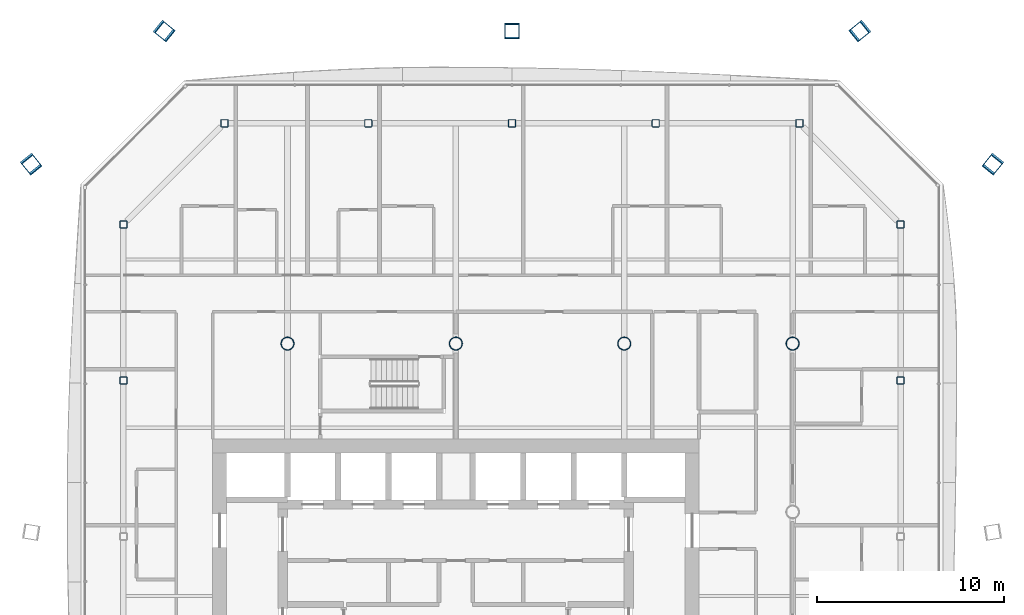
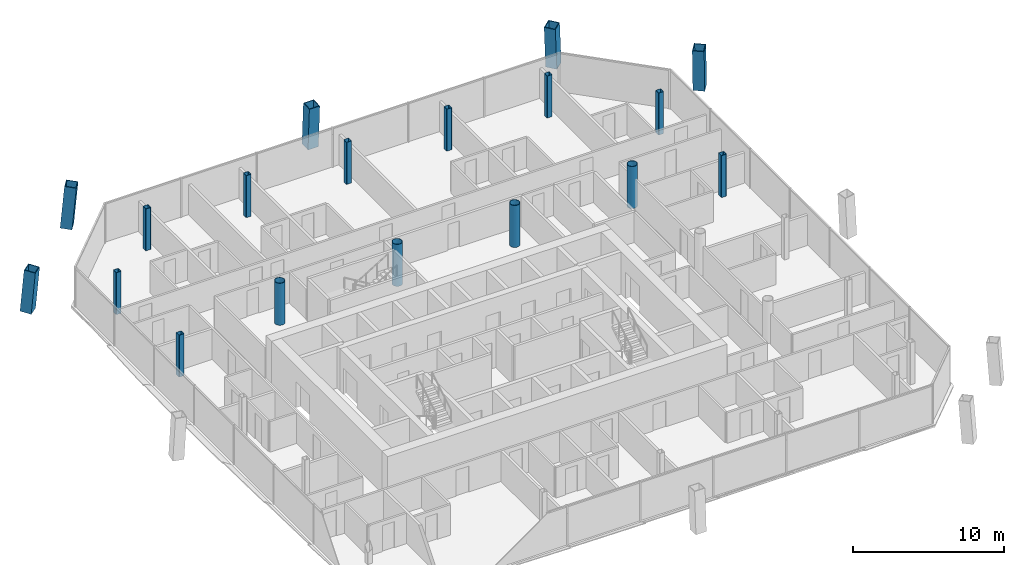
# One storey, part 2 of 21: 18 columns.
"""IFC4 building model written with IfcOpenShell, lengths in metres."""

import ifcopenshell
import ifcopenshell.guid

model = None  # the IFC model being written
_history = None  # IfcOwnerHistory: only IFC2X3 demands one
_inside = {}  # id of a spatial element -> (the spatial element, [elements in it])
_under = {}  # id of a project, library or spatial element -> (it, [spatial elements below it])
_declared = {}  # id of a project -> (the project, [libraries it declares])
_typed = {}  # id of a type object -> (the type object, [elements of that type])
_made_of = {}  # id of a material, layer set ... -> (it, [elements and type objects made of it])


def new_model(schema):
    """Start an empty IFC model of exactly this schema.

    Asked for "IFC4X3", IfcOpenShell would pick the latest addendum, in which some entities
    have other attributes; the version numbers below select the first issue.
    IFC2X3 requires an IfcOwnerHistory on every rooted entity: one is made here for all.
    """
    global model, _history
    if schema == "IFC4X3":
        model = ifcopenshell.file(schema_version=(4, 3, 0, 0))
    else:
        model = ifcopenshell.file(schema=schema)
    _inside.clear()
    _under.clear()
    _declared.clear()
    _typed.clear()
    _made_of.clear()
    _history = None
    if model.schema == "IFC2X3":
        org = make("IfcOrganization", Name="unknown")
        user = make(
            "IfcPersonAndOrganization",
            ThePerson=make("IfcPerson", FamilyName="unknown"),
            TheOrganization=org,
        )
        app = make(
            "IfcApplication",
            ApplicationDeveloper=org,
            Version="unknown",
            ApplicationFullName="unknown",
            ApplicationIdentifier="unknown",
        )
        _history = make(
            "IfcOwnerHistory",
            OwningUser=user,
            OwningApplication=app,
            ChangeAction="ADDED",
            CreationDate=0,
        )
    return model


def make(cls, **values):
    """One entity of the class cls with the attributes given. An attribute that is None is left unset."""
    return model.create_entity(
        cls, **{name: value for name, value in values.items() if value is not None}
    )


def rooted(cls, **values):
    """An entity with a GlobalId (a new one), such as an element, a storey or a relation."""
    return make(cls, GlobalId=ifcopenshell.guid.new(), OwnerHistory=_history, **values)


def si_unit(unit_type, name, prefix=None):
    """IfcSIUnit, for example si_unit("LENGTHUNIT", "METRE", prefix="MILLI")."""
    return make("IfcSIUnit", UnitType=unit_type, Prefix=prefix, Name=name)


def assignment(units):
    """IfcUnitAssignment: the units of a project."""
    return None if units is None else make("IfcUnitAssignment", Units=units)


def point(xyz):
    """IfcCartesianPoint."""
    return None if xyz is None else make("IfcCartesianPoint", Coordinates=xyz)


def direction(xyz):
    """IfcDirection."""
    return None if xyz is None else make("IfcDirection", DirectionRatios=xyz)


def frame(location, z_axis=None, x_axis=None):
    """IfcAxis2Placement3D, a coordinate frame: its origin and axes. An axis left out is left unset."""
    return make(
        "IfcAxis2Placement3D",
        Location=point(location),
        Axis=direction(z_axis),
        RefDirection=direction(x_axis),
    )


def frame_2d(location, x_axis=None):
    """IfcAxis2Placement2D, a coordinate frame in the plane: its origin and x axis."""
    return make(
        "IfcAxis2Placement2D", Location=point(location), RefDirection=direction(x_axis)
    )


def origin():
    """The frame at (0, 0, 0) with its axes left unset."""
    return frame((0.0, 0.0, 0.0))


def origin_2d():
    """The frame at (0, 0) in the plane with its x axis left unset."""
    return frame_2d((0.0, 0.0))


def place(relative_to, where):
    """IfcLocalPlacement: puts the frame where relative to a parent placement (None: the world)."""
    return make(
        "IfcLocalPlacement", PlacementRelTo=relative_to, RelativePlacement=where
    )


def context(
    kind, dimensions, precision=None, world=None, true_north=None, identifier=None
):
    """IfcGeometricRepresentationContext, for example the 3D "Model" context."""
    return make(
        "IfcGeometricRepresentationContext",
        ContextIdentifier=identifier,
        ContextType=kind,
        CoordinateSpaceDimension=dimensions,
        Precision=precision,
        WorldCoordinateSystem=world,
        TrueNorth=true_north,
    )


def subcontext(parent, identifier, kind, view, scale=None):
    """IfcGeometricRepresentationSubContext, for example "Body" below "Model"."""
    return make(
        "IfcGeometricRepresentationSubContext",
        ContextIdentifier=identifier,
        ContextType=kind,
        ParentContext=parent,
        TargetScale=scale,
        TargetView=view,
    )


def project(units=None, contexts=None):
    """IfcProject with its units and contexts."""
    return rooted(
        "IfcProject",
        Name="project",
        RepresentationContexts=contexts,
        UnitsInContext=assignment(units),
    )


def spatial(cls, under=None, at=None, **own):
    """A site, building, storey or space (cls), placed at a placement, below another one or the project."""
    s = rooted(cls, ObjectPlacement=at, **own)
    if under is not None:
        _under.setdefault(under.id(), (under, []))[1].append(s)
    return s


def profile(cls, at=None, kind="AREA", **sizes):
    """A parametric profile (cls). Its sizes go by their IFC names, for example OverallWidth=200.0."""
    return make(cls, ProfileType=kind, Position=at, **sizes)


def hollow_rectangle(**sizes):
    """IfcRectangleHollowProfileDef."""
    return profile("IfcRectangleHollowProfileDef", **sizes)


def hollow_circle(**sizes):
    """IfcCircleHollowProfileDef."""
    return profile("IfcCircleHollowProfileDef", **sizes)


def extrude(swept, where, along, depth):
    """IfcExtrudedAreaSolid: the profile swept, set in the frame where, extruded along a direction by depth."""
    return make(
        "IfcExtrudedAreaSolid",
        SweptArea=swept,
        Position=where,
        ExtrudedDirection=direction(along),
        Depth=depth,
    )


def shape(context_of_items, identifier, shape_type, items):
    """IfcShapeRepresentation: the items that make up one representation, for example the "Body"."""
    return make(
        "IfcShapeRepresentation",
        ContextOfItems=context_of_items,
        RepresentationIdentifier=identifier,
        RepresentationType=shape_type,
        Items=items,
    )


def material(Name=None, Category=None):
    """IfcMaterial."""
    return make("IfcMaterial", Name=Name, Category=Category)


def material_profile(
    of_material, cross_section, Name=None, Category=None, Priority=None
):
    """IfcMaterialProfile: a cross section and its material."""
    return make(
        "IfcMaterialProfile",
        Name=Name,
        Material=of_material,
        Profile=cross_section,
        Priority=Priority,
        Category=Category,
    )


def profile_set(profiles, Name=None, composite=None):
    """IfcMaterialProfileSet."""
    return make(
        "IfcMaterialProfileSet",
        Name=Name,
        MaterialProfiles=profiles,
        CompositeProfile=composite,
    )


def made_of(thing, what):
    """Note that an element or type object is made of a material, layer set ...; save() writes the relation."""
    if what is not None:
        _made_of.setdefault(what.id(), (what, []))[1].append(thing)
    return thing


def type_object(cls, material=None, **own):
    """A type object (cls), such as IfcWallType, which elements share."""
    return made_of(rooted(cls, **own), material)


def element(
    cls,
    number,
    at=None,
    inside=None,
    cuts=None,
    type_object=None,
    material=None,
    context=None,
    identifier="Body",
    shape_type=None,
    held_by="IfcProductDefinitionShape",
    body=None,
    shapes=None,
    **own,
):
    """One element of the class cls, such as IfcWall. Its Tag is "e" and its number.

    at: its placement. inside: the storey or other place that contains it. cuts: it is an
    opening in that element (IfcRelVoidsElement). A single representation is given by context,
    identifier, shape_type and body (its items); several are given by shapes. held_by: the class
    of the entity that holds the representations. save() writes the other relations.
    """
    e = rooted(cls, Tag="e%d" % number, ObjectPlacement=at, **own)
    if body is not None:
        shapes = [shape(context, identifier, shape_type, body)]
    if shapes is not None:
        e.Representation = make(held_by, Representations=shapes)
    if inside is not None:
        _inside.setdefault(inside.id(), (inside, []))[1].append(e)
    if cuts is not None:
        rooted(
            "IfcRelVoidsElement", RelatingBuildingElement=cuts, RelatedOpeningElement=e
        )
    if type_object is not None:
        _typed.setdefault(type_object.id(), (type_object, []))[1].append(e)
    return made_of(e, material)


def aggregate(whole, parts):
    """IfcRelAggregates: a whole, such as a stair, and the parts it consists of."""
    return rooted("IfcRelAggregates", RelatingObject=whole, RelatedObjects=parts)


def save(model, path):
    """Write the relations noted so far, then the file.

    IfcRelAggregates (storeys below a building ...), IfcRelContainedInSpatialStructure (elements
    in a storey), IfcRelDefinesByType, IfcRelAssociatesMaterial and IfcRelDeclares: one each for
    every whole, place, type object, material and project.
    """
    for whole, parts in _under.values():
        aggregate(whole, parts)
    for where, things in _inside.values():
        rooted(
            "IfcRelContainedInSpatialStructure",
            RelatedElements=things,
            RelatingStructure=where,
        )
    for kind, things in _typed.values():
        rooted("IfcRelDefinesByType", RelatedObjects=things, RelatingType=kind)
    for what, things in _made_of.values():
        rooted("IfcRelAssociatesMaterial", RelatedObjects=things, RelatingMaterial=what)
    for by, libraries in _declared.values():
        rooted("IfcRelDeclares", RelatingContext=by, RelatedDefinitions=libraries)
    model.write(path)


model = new_model("IFC4")

# Units and contexts
model_context = context("Model", 3, precision=1e-05, world=origin(), true_north=direction((0.0, 1.0)))
body_context = subcontext(model_context, "Body", "Model", "MODEL_VIEW")
ifc_project = project(units=[si_unit("LENGTHUNIT", "METRE"), si_unit("AREAUNIT", "SQUARE_METRE"), si_unit("VOLUMEUNIT", "CUBIC_METRE"), si_unit("PLANEANGLEUNIT", "RADIAN"), si_unit("MASSUNIT", "GRAM", prefix="KILO")], contexts=[model_context])

# Site, building, storey
site_placement = place(None, origin())
site = spatial("IfcSite", under=ifc_project, at=site_placement, CompositionType="ELEMENT")
building_placement = place(site_placement, origin())
building = spatial("IfcBuilding", under=site, at=building_placement, Name="Tskaro Facet Tower", CompositionType="ELEMENT")
storey_placement = place(building_placement, frame((0.0, 0.0, 135.10009765625)))
storey = spatial("IfcBuildingStorey", under=building, at=storey_placement, Name="L32", CompositionType="ELEMENT", Elevation=135.10009765625)

# Columns
ifc_material_1 = material(Name="Steel S460M", Category="steel")
ifc_material_profile_1 = material_profile(ifc_material_1, hollow_rectangle(XDim=0.800048828125, YDim=0.800048828125, WallThickness=0.050048828125, at=origin_2d()), Name="BOX 800x800x50")
ifc_profile_set_1 = profile_set([ifc_material_profile_1], Name="Steel S460M")
column_type_1 = type_object("IfcColumnType", Name="BOX 800x800x50 mega column", PredefinedType="COLUMN", material=ifc_profile_set_1)
for number, where, z_axis, x_axis, name in (
    (1, (28.737060546875, 18.632080078125, 0.0), (-0.053658986605, -0.06653714339, 0.996340063285), (0.778413039475, -0.62775245119, 0.0), "BOX 800x800x50 MC06/3"),
    (2, (21.632080078125, 25.737060546875, 0.0), (-0.06653714339, -0.053658986605, 0.996340063285), (0.62775245119, -0.778413039475, 0.0), "BOX 800x800x50 MC07/3"),
):
    element("IfcColumn", number, at=place(storey_placement, frame(where, z_axis=z_axis, x_axis=x_axis)), inside=storey, type_object=column_type_1, Name=name, PredefinedType="COLUMN", context=body_context, shape_type="SweptSolid", body=[
        extrude(hollow_rectangle(XDim=0.800048828125, YDim=0.800048828125, WallThickness=0.050048828125, at=origin_2d()), origin(), (0.0, 0.0, 1.0), 3.412353515625),
    ])
column_placement = place(storey_placement, frame((3.0, 25.737060546875, 0.0), z_axis=(0.0, -0.053778161763, 0.998552907621), x_axis=(1.0, 0.0, 0.0)))
element("IfcColumn", 3, at=column_placement, inside=storey, type_object=column_type_1, Name="BOX 800x800x50 MC08/3", PredefinedType="COLUMN", context=body_context, shape_type="SweptSolid", body=[
    extrude(hollow_rectangle(XDim=0.800048828125, YDim=0.800048828125, WallThickness=0.050048828125, at=origin_2d()), origin(), (0.0, 0.0, 1.0), 3.40478515625),
])
for number, where, z_axis, x_axis, name in (
    (4, (-15.632080078125, 25.737060546875, 0.0), (0.06653714339, -0.053658986605, 0.996340063285), (0.62775245119, 0.778413039475, 0.0), "BOX 800x800x50 MC09/3"),
    (5, (-22.737060546875, 18.632080078125, 0.0), (0.053658986605, -0.06653714339, 0.996340063285), (0.778413039475, 0.62775245119, 0.0), "BOX 800x800x50 MC10/3"),
):
    element("IfcColumn", number, at=place(storey_placement, frame(where, z_axis=z_axis, x_axis=x_axis)), inside=storey, type_object=column_type_1, Name=name, PredefinedType="COLUMN", context=body_context, shape_type="SweptSolid", body=[
        extrude(hollow_rectangle(XDim=0.800048828125, YDim=0.800048828125, WallThickness=0.050048828125, at=origin_2d()), origin(), (0.0, 0.0, 1.0), 3.412353515625),
    ])
ifc_material_2 = material(Name="Steel S355J2H", Category="steel")
ifc_material_profile_2 = material_profile(ifc_material_2, hollow_circle(Radius=0.35546875, WallThickness=0.031982421875, at=origin_2d()), Name="CHS 711x32")
ifc_profile_set_2 = profile_set([ifc_material_profile_2], Name="Steel S355J2H")
column_type_2 = type_object("IfcColumnType", Name="CHS 711x32 interior column", PredefinedType="COLUMN", material=ifc_profile_set_2)
for number, where, z_axis, x_axis, name in (
    (6, (-9.0, 9.0, 0.0), (0.0, 0.0, 1.0), (1.0, 0.0, 0.0), "CHS 711x32 C3E/3"),
    (7, (0.0, 9.0, 0.0), (0.0, 0.0, 1.0), (1.0, 0.0, 0.0), "CHS 711x32 C4E/3"),
    (8, (9.0, 9.0, 0.0), (0.0, 0.0, 1.0), (1.0, 0.0, 0.0), "CHS 711x32 C5E/3"),
    (9, (18.0, 9.0, 0.0), (0.0, 0.0, 1.0), (1.0, 0.0, 0.0), "CHS 711x32 C6E/3"),
):
    element("IfcColumn", number, at=place(storey_placement, frame(where, z_axis=z_axis, x_axis=x_axis)), inside=storey, type_object=column_type_2, Name=name, PredefinedType="COLUMN", context=body_context, shape_type="SweptSolid", body=[
        extrude(hollow_circle(Radius=0.35546875, WallThickness=0.031982421875, at=origin_2d()), origin(), (0.0, 0.0, 1.0), 3.39990234375),
    ])
ifc_material_profile_3 = material_profile(ifc_material_2, hollow_rectangle(XDim=0.39990234375, YDim=0.39990234375, WallThickness=0.02001953125, InnerFilletRadius=0.030029296875, OuterFilletRadius=0.050048828125, at=origin_2d()), Name="SHS 400x400x20")
ifc_profile_set_3 = profile_set([ifc_material_profile_3], Name="Steel S355J2H")
column_type_3 = type_object("IfcColumnType", Name="SHS 400x400x20 ring column", PredefinedType="COLUMN", material=ifc_profile_set_3)
for number, where, z_axis, x_axis, name in (
    (10, (23.77392578125, 7.02587890625, 0.0), (0.0, 0.0, 1.0), (1.0, 0.0, 0.0), "SHS 400x400x20 RE-4/3"),
    (11, (23.77392578125, 15.367919921875, 0.0), (0.0, 0.0, 1.0), (1.0, 0.0, 0.0), "SHS 400x400x20 RNE-1/3"),
    (12, (18.367919921875, 20.77392578125, 0.0), (0.0, 0.0, 1.0), (1.0, 0.0, 0.0), "SHS 400x400x20 RN-1/3"),
    (13, (10.68408203125, 20.77392578125, 0.0), (0.0, 0.0, 1.0), (1.0, 0.0, 0.0), "SHS 400x400x20 RN-2/3"),
    (14, (3.0, 20.77392578125, 0.0), (0.0, 0.0, 1.0), (1.0, 0.0, 0.0), "SHS 400x400x20 RN-3/3"),
    (15, (-4.68408203125, 20.77392578125, 0.0), (0.0, 0.0, 1.0), (1.0, 0.0, 0.0), "SHS 400x400x20 RN-4/3"),
    (16, (-12.367919921875, 20.77392578125, 0.0), (0.0, 0.0, 1.0), (1.0, 0.0, 0.0), "SHS 400x400x20 RNW-1/3"),
    (17, (-17.77392578125, 15.367919921875, 0.0), (0.0, 0.0, 1.0), (1.0, 0.0, 0.0), "SHS 400x400x20 RW-1/3"),
    (18, (-17.77392578125, 7.02587890625, 0.0), (0.0, 0.0, 1.0), (1.0, 0.0, 0.0), "SHS 400x400x20 RW-2/3"),
):
    element("IfcColumn", number, at=place(storey_placement, frame(where, z_axis=z_axis, x_axis=x_axis)), inside=storey, type_object=column_type_3, Name=name, PredefinedType="COLUMN", context=body_context, shape_type="SweptSolid", body=[
        extrude(hollow_rectangle(XDim=0.39990234375, YDim=0.39990234375, WallThickness=0.02001953125, InnerFilletRadius=0.030029296875, OuterFilletRadius=0.050048828125, at=origin_2d()), origin(), (0.0, 0.0, 1.0), 3.39990234375),
    ])

save(model, "model.ifc")
